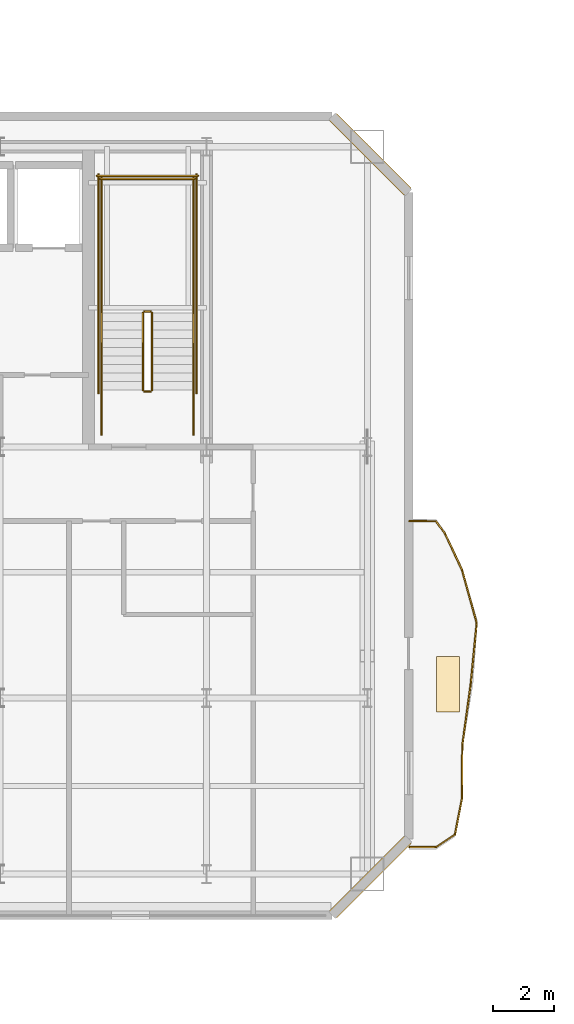
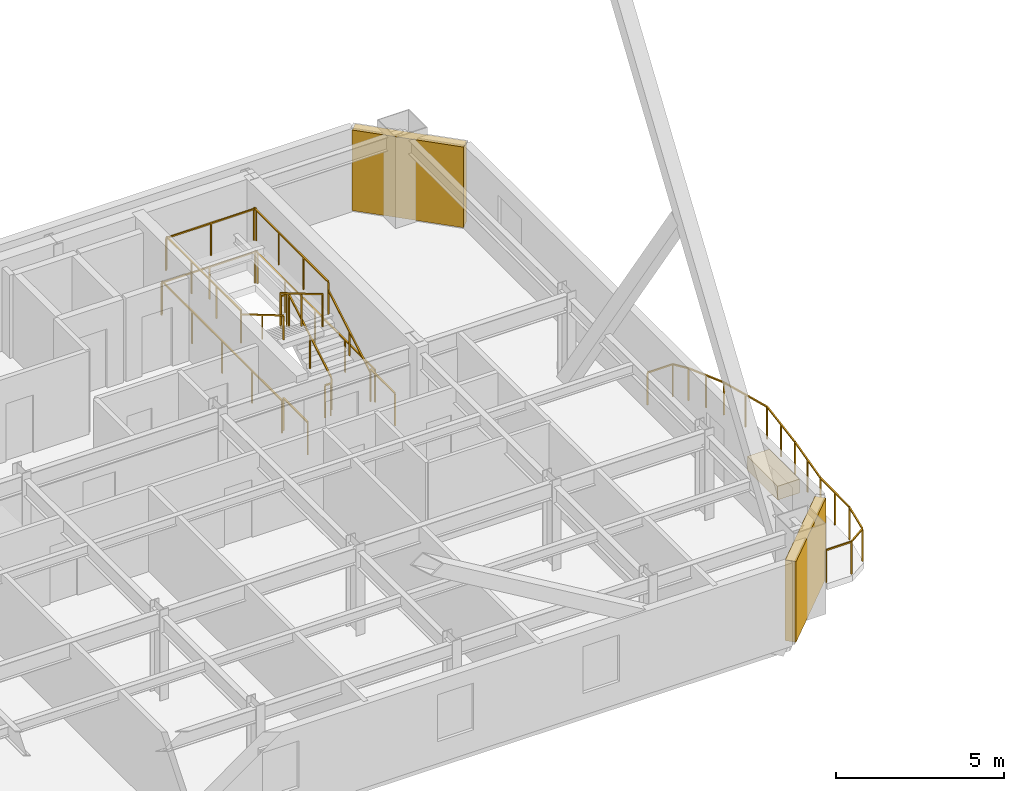
# One storey, part 17 of 19: 24 railings, 2 shading devices, 1 covering.
"""IFC4 building model written with IfcOpenShell, lengths in metres."""

from ifc_helpers import new_model, si_unit, direction, frame, origin, origin_2d, place, context, subcontext, project, spatial, rectangle, extrude, material, layer, layer_set, type_object, element, save


model = new_model("IFC4")

# Units and contexts
model_context = context("Model", 3, precision=1e-05, world=origin(), true_north=direction((0.0, 1.0)))
body_context = subcontext(model_context, "Body", "Model", "MODEL_VIEW")
ifc_project = project(units=[si_unit("LENGTHUNIT", "METRE"), si_unit("AREAUNIT", "SQUARE_METRE"), si_unit("VOLUMEUNIT", "CUBIC_METRE"), si_unit("PLANEANGLEUNIT", "RADIAN"), si_unit("MASSUNIT", "GRAM", prefix="KILO")], contexts=[model_context])

# Site, building, storey
site_placement = place(None, origin())
site = spatial("IfcSite", under=ifc_project, at=site_placement, CompositionType="ELEMENT")
building_placement = place(site_placement, origin())
building = spatial("IfcBuilding", under=site, at=building_placement, Name="Haevon Station Towers", CompositionType="ELEMENT")
storey_placement = place(building_placement, frame((0.0, 0.0, 218.699951171875)))
storey = spatial("IfcBuildingStorey", under=building, at=storey_placement, Name="L60", CompositionType="ELEMENT", Elevation=218.699951171875)

# Railings
ifc_material_1 = material(Name="Steel S355", Category="steel")
railing_type_1 = type_object("IfcRailingType", Name="GRD-EXT1200", PredefinedType="GUARDRAIL", material=ifc_material_1)
railing_1_placement = place(storey_placement, frame((57.62353515625, 25.1279296875, 0.0)))
element("IfcRailing", 1, at=railing_1_placement, inside=storey, type_object=railing_type_1, Name="L60 Perimeter Guardrail 1", PredefinedType="GUARDRAIL", context=body_context, shape_type="SweptSolid", body=[
    extrude(rectangle(XDim=0.048095703125, YDim=0.048095703125, at=origin_2d()), frame((0.0, 0.0, 1.17578125), z_axis=(0.999997476494, 0.002246554286, 0.0), x_axis=(-0.002246554286, 0.999997476494, 0.0)), (0.0, 0.0, 1.0), 0.869384765625),
    extrude(rectangle(XDim=0.0419921875, YDim=0.0419921875, at=origin_2d()), origin(), (0.0, 0.0, 1.0), 1.15185546875),
    extrude(rectangle(XDim=0.0419921875, YDim=0.0419921875, at=origin_2d()), frame((0.869384765625, 0.001953125, 0.0)), (0.0, 0.0, 1.0), 1.15185546875),
])
railing_2_placement = place(storey_placement, frame((58.492919921875, 25.1298828125, 0.0)))
element("IfcRailing", 2, at=railing_2_placement, inside=storey, type_object=railing_type_1, Name="L60 Perimeter Guardrail 2", PredefinedType="GUARDRAIL", context=body_context, shape_type="SweptSolid", body=[
    extrude(rectangle(XDim=0.048095703125, YDim=0.048095703125, at=origin_2d()), frame((0.0, 0.0, 1.17578125), z_axis=(0.833160144028, 0.553031802343, 0.0), x_axis=(-0.553031802343, 0.833160144028, 0.0)), (0.0, 0.0, 1.0), 0.743408203125),
    extrude(rectangle(XDim=0.0419921875, YDim=0.0419921875, at=origin_2d()), origin(), (0.0, 0.0, 1.0), 1.15185546875),
    extrude(rectangle(XDim=0.0419921875, YDim=0.0419921875, at=origin_2d()), frame((0.619384765625, 0.4111328125, 0.0)), (0.0, 0.0, 1.0), 1.15185546875),
])
railing_3_placement = place(storey_placement, frame((59.1123046875, 25.541015625, 0.0)))
element("IfcRailing", 3, at=railing_3_placement, inside=storey, type_object=railing_type_1, Name="L60 Perimeter Guardrail 3", PredefinedType="GUARDRAIL", context=body_context, shape_type="SweptSolid", body=[
    extrude(rectangle(XDim=0.048095703125, YDim=0.048095703125, at=origin_2d()), frame((0.0, 0.0, 1.17578125), z_axis=(0.189926348496, 0.981798340876, 0.0), x_axis=(-0.981798340876, 0.189926348496, 0.0)), (0.0, 0.0, 1.0), 1.191650390625),
    extrude(rectangle(XDim=0.0419921875, YDim=0.0419921875, at=origin_2d()), origin(), (0.0, 0.0, 1.0), 1.15185546875),
    extrude(rectangle(XDim=0.0419921875, YDim=0.0419921875, at=origin_2d()), frame((0.226318359375, 1.169921875, 0.0)), (0.0, 0.0, 1.0), 1.15185546875),
])
railing_4_placement = place(storey_placement, frame((59.338623046875, 26.7109375, 0.0)))
element("IfcRailing", 4, at=railing_4_placement, inside=storey, type_object=railing_type_1, Name="L60 Perimeter Guardrail 4", PredefinedType="GUARDRAIL", context=body_context, shape_type="SweptSolid", body=[
    extrude(rectangle(XDim=0.048095703125, YDim=0.048095703125, at=origin_2d()), frame((0.0, 0.0, 1.17578125), z_axis=(0.007252250001, 0.999973702089, 0.0), x_axis=(-0.999973702089, 0.007252250001, 0.0)), (0.0, 0.0, 1.0), 1.75048828125),
    extrude(rectangle(XDim=0.0419921875, YDim=0.0419921875, at=origin_2d()), origin(), (0.0, 0.0, 1.0), 1.15185546875),
    extrude(rectangle(XDim=0.0419921875, YDim=0.0419921875, at=origin_2d()), frame((0.00634765625, 0.875244140625, 0.0)), (0.0, 0.0, 1.0), 1.15185546875),
    extrude(rectangle(XDim=0.0419921875, YDim=0.0419921875, at=origin_2d()), frame((0.0126953125, 1.75048828125, 0.0)), (0.0, 0.0, 1.0), 1.15185546875),
])
railing_5_placement = place(storey_placement, frame((59.351318359375, 28.46142578125, 0.0)))
element("IfcRailing", 5, at=railing_5_placement, inside=storey, type_object=railing_type_1, Name="L60 Perimeter Guardrail 5", PredefinedType="GUARDRAIL", context=body_context, shape_type="SweptSolid", body=[
    extrude(rectangle(XDim=0.048095703125, YDim=0.048095703125, at=origin_2d()), frame((0.0, 0.0, 1.17578125), z_axis=(0.136345171369, 0.990661392326, 0.0), x_axis=(-0.990661392326, 0.136345171369, 0.0)), (0.0, 0.0, 1.0), 2.00732421875),
    extrude(rectangle(XDim=0.0419921875, YDim=0.0419921875, at=origin_2d()), origin(), (0.0, 0.0, 1.0), 1.15185546875),
    extrude(rectangle(XDim=0.0419921875, YDim=0.0419921875, at=origin_2d()), frame((0.13671875, 0.994140625, 0.0)), (0.0, 0.0, 1.0), 1.15185546875),
    extrude(rectangle(XDim=0.0419921875, YDim=0.0419921875, at=origin_2d()), frame((0.273681640625, 1.988525390625, 0.0)), (0.0, 0.0, 1.0), 1.15185546875),
])
railing_6_placement = place(storey_placement, frame((59.625, 30.449951171875, 0.0)))
element("IfcRailing", 6, at=railing_6_placement, inside=storey, type_object=railing_type_1, Name="L60 Perimeter Guardrail 6", PredefinedType="GUARDRAIL", context=body_context, shape_type="SweptSolid", body=[
    extrude(rectangle(XDim=0.048095703125, YDim=0.048095703125, at=origin_2d()), frame((0.0, 0.0, 1.17578125), z_axis=(0.097718135752, 0.9952141307, 0.0), x_axis=(-0.9952141307, 0.097718135752, 0.0)), (0.0, 0.0, 1.0), 2.003662109375),
    extrude(rectangle(XDim=0.0419921875, YDim=0.0419921875, at=origin_2d()), origin(), (0.0, 0.0, 1.0), 1.15185546875),
    extrude(rectangle(XDim=0.0419921875, YDim=0.0419921875, at=origin_2d()), frame((0.097900390625, 0.9970703125, 0.0)), (0.0, 0.0, 1.0), 1.15185546875),
    extrude(rectangle(XDim=0.0419921875, YDim=0.0419921875, at=origin_2d()), frame((0.19580078125, 1.994140625, 0.0)), (0.0, 0.0, 1.0), 1.15185546875),
])
railing_7_placement = place(storey_placement, frame((59.82080078125, 32.444091796875, 0.0)))
element("IfcRailing", 7, at=railing_7_placement, inside=storey, type_object=railing_type_1, Name="L60 Perimeter Guardrail 7", PredefinedType="GUARDRAIL", context=body_context, shape_type="SweptSolid", body=[
    extrude(rectangle(XDim=0.048095703125, YDim=0.048095703125, at=origin_2d()), frame((0.0, 0.0, 1.17578125), z_axis=(-0.266356811872, 0.963874498454, 0.0), x_axis=(-0.963874498454, -0.266356811872, 0.0)), (0.0, 0.0, 1.0), 1.810302734375),
    extrude(rectangle(XDim=0.0419921875, YDim=0.0419921875, at=origin_2d()), origin(), (0.0, 0.0, 1.0), 1.15185546875),
    extrude(rectangle(XDim=0.0419921875, YDim=0.0419921875, at=origin_2d()), frame((-0.2412109375, 0.87255859375, 0.0)), (0.0, 0.0, 1.0), 1.15185546875),
    extrude(rectangle(XDim=0.0419921875, YDim=0.0419921875, at=origin_2d()), frame((-0.482177734375, 1.744873046875, 0.0)), (0.0, 0.0, 1.0), 1.15185546875),
])
railing_8_placement = place(storey_placement, frame((59.338623046875, 34.18896484375, 0.0)))
element("IfcRailing", 8, at=railing_8_placement, inside=storey, type_object=railing_type_1, Name="L60 Perimeter Guardrail 8", PredefinedType="GUARDRAIL", context=body_context, shape_type="SweptSolid", body=[
    extrude(rectangle(XDim=0.048095703125, YDim=0.048095703125, at=origin_2d()), frame((0.0, 0.0, 1.17578125), z_axis=(-0.423464938521, 0.90591249348, 0.0), x_axis=(-0.90591249348, -0.423464938521, 0.0)), (0.0, 0.0, 1.0), 1.29150390625),
    extrude(rectangle(XDim=0.0419921875, YDim=0.0419921875, at=origin_2d()), origin(), (0.0, 0.0, 1.0), 1.15185546875),
    extrude(rectangle(XDim=0.0419921875, YDim=0.0419921875, at=origin_2d()), frame((-0.2734375, 0.5849609375, 0.0)), (0.0, 0.0, 1.0), 1.15185546875),
    extrude(rectangle(XDim=0.0419921875, YDim=0.0419921875, at=origin_2d()), frame((-0.546875, 1.169921875, 0.0)), (0.0, 0.0, 1.0), 1.15185546875),
])
railing_9_placement = place(storey_placement, frame((58.791748046875, 35.35888671875, 0.0)))
element("IfcRailing", 9, at=railing_9_placement, inside=storey, type_object=railing_type_1, Name="L60 Perimeter Guardrail 9", PredefinedType="GUARDRAIL", context=body_context, shape_type="SweptSolid", body=[
    extrude(rectangle(XDim=0.048095703125, YDim=0.048095703125, at=origin_2d()), frame((0.0, 0.0, 1.17578125), z_axis=(-0.587714803792, 0.809068173521, 0.0), x_axis=(-0.809068173521, -0.587714803792, 0.0)), (0.0, 0.0, 1.0), 0.508544921875),
    extrude(rectangle(XDim=0.0419921875, YDim=0.0419921875, at=origin_2d()), origin(), (0.0, 0.0, 1.0), 1.15185546875),
    extrude(rectangle(XDim=0.0419921875, YDim=0.0419921875, at=origin_2d()), frame((-0.298828125, 0.411376953125, 0.0)), (0.0, 0.0, 1.0), 1.15185546875),
])
railing_10_placement = place(storey_placement, frame((58.492919921875, 35.770263671875, 0.0)))
element("IfcRailing", 10, at=railing_10_placement, inside=storey, type_object=railing_type_1, Name="L60 Perimeter Guardrail 10", PredefinedType="GUARDRAIL", context=body_context, shape_type="SweptSolid", body=[
    extrude(rectangle(XDim=0.048095703125, YDim=0.048095703125, at=origin_2d()), frame((0.0, 0.0, 1.17578125), z_axis=(-0.999997476494, 0.002246554286, 0.0), x_axis=(-0.002246554286, -0.999997476494, 0.0)), (0.0, 0.0, 1.0), 0.869384765625),
    extrude(rectangle(XDim=0.0419921875, YDim=0.0419921875, at=origin_2d()), origin(), (0.0, 0.0, 1.0), 1.15185546875),
    extrude(rectangle(XDim=0.0419921875, YDim=0.0419921875, at=origin_2d()), frame((-0.869384765625, 0.001953125, 0.0)), (0.0, 0.0, 1.0), 1.15185546875),
])
railing_type_2 = type_object("IfcRailingType", Name="GRD-STR1200", PredefinedType="GUARDRAIL", material=ifc_material_1)
railing_11_placement = place(storey_placement, frame((49.219970703125, 40.050048828125, 0.1650390625)))
element("IfcRailing", 11, at=railing_11_placement, inside=storey, type_object=railing_type_2, Name="L60 ST2 Stair Guard 1", PredefinedType="GUARDRAIL", context=body_context, shape_type="SweptSolid", body=[
    extrude(rectangle(XDim=0.048095703125, YDim=0.048095703125, at=origin_2d()), frame((0.0, 0.0, 1.17578125), z_axis=(0.0, 0.86152411907, 0.507716645641), x_axis=(-1.0, 0.0, 0.0)), (0.0, 0.0, 1.0), 2.925048828125),
    extrude(rectangle(XDim=0.0419921875, YDim=0.0419921875, at=origin_2d()), origin(), (0.0, 0.0, 1.0), 1.15185546875),
    extrude(rectangle(XDim=0.0419921875, YDim=0.0419921875, at=origin_2d()), frame((0.0, 1.260009765625, 0.74267578125)), (0.0, 0.0, 1.0), 1.15185546875),
    extrude(rectangle(XDim=0.0419921875, YDim=0.0419921875, at=origin_2d()), frame((0.0, 2.52001953125, 1.485107421875)), (0.0, 0.0, 1.0), 1.15185546875),
])
railing_12_placement = place(storey_placement, frame((49.169921875, 42.6201171875, 1.650146484375)))
element("IfcRailing", 12, at=railing_12_placement, inside=storey, type_object=railing_type_2, Name="L60 ST2 Stair Guard 2", PredefinedType="GUARDRAIL", context=body_context, shape_type="SweptSolid", body=[
    extrude(rectangle(XDim=0.048095703125, YDim=0.048095703125, at=origin_2d()), frame((0.0, 0.0, 1.17578125), z_axis=(-1.0, 0.0, 0.0), x_axis=(0.0, -1.0, 0.0)), (0.0, 0.0, 1.0), 0.199951171875),
    extrude(rectangle(XDim=0.0419921875, YDim=0.0419921875, at=origin_2d()), origin(), (0.0, 0.0, 1.0), 1.15185546875),
    extrude(rectangle(XDim=0.0419921875, YDim=0.0419921875, at=origin_2d()), frame((-0.199951171875, 0.0, 0.0)), (0.0, 0.0, 1.0), 1.15185546875),
])
for number, where, name in (
    (13, (50.570068359375, 42.570068359375, 1.650146484375), "L60 ST2 Stair Guard 3"),
    (14, (47.570068359375, 42.570068359375, 1.650146484375), "L60 ST2 Stair Guard 4"),
):
    element("IfcRailing", number, at=place(storey_placement, frame(where)), inside=storey, type_object=railing_type_2, Name=name, PredefinedType="GUARDRAIL", context=body_context, shape_type="SweptSolid", body=[
        extrude(rectangle(XDim=0.048095703125, YDim=0.048095703125, at=origin_2d()), frame((0.0, 0.0, 1.17578125), z_axis=(0.0, 1.0, 0.0), x_axis=(-1.0, 0.0, 0.0)), (0.0, 0.0, 1.0), 4.429931640625),
        extrude(rectangle(XDim=0.0419921875, YDim=0.0419921875, at=origin_2d()), origin(), (0.0, 0.0, 1.0), 1.15185546875),
        extrude(rectangle(XDim=0.0419921875, YDim=0.0419921875, at=origin_2d()), frame((0.0, 1.4765625, 0.0)), (0.0, 0.0, 1.0), 1.15185546875),
        extrude(rectangle(XDim=0.0419921875, YDim=0.0419921875, at=origin_2d()), frame((0.0, 2.953369140625, 0.0)), (0.0, 0.0, 1.0), 1.15185546875),
        extrude(rectangle(XDim=0.0419921875, YDim=0.0419921875, at=origin_2d()), frame((0.0, 4.429931640625, 0.0)), (0.0, 0.0, 1.0), 1.15185546875),
    ])
railing_13_placement = place(storey_placement, frame((50.6201171875, 46.949951171875, 1.650146484375)))
element("IfcRailing", 15, at=railing_13_placement, inside=storey, type_object=railing_type_2, Name="L60 ST2 Stair Guard 5", PredefinedType="GUARDRAIL", context=body_context, shape_type="SweptSolid", body=[
    extrude(rectangle(XDim=0.048095703125, YDim=0.048095703125, at=origin_2d()), frame((0.0, 0.0, 1.17578125), z_axis=(-1.0, 0.0, 0.0), x_axis=(0.0, -1.0, 0.0)), (0.0, 0.0, 1.0), 3.10009765625),
    extrude(rectangle(XDim=0.0419921875, YDim=0.0419921875, at=origin_2d()), origin(), (0.0, 0.0, 1.0), 1.15185546875),
    extrude(rectangle(XDim=0.0419921875, YDim=0.0419921875, at=origin_2d()), frame((-1.550048828125, 0.0, 0.0)), (0.0, 0.0, 1.0), 1.15185546875),
    extrude(rectangle(XDim=0.0419921875, YDim=0.0419921875, at=origin_2d()), frame((-3.10009765625, 0.0, 0.0)), (0.0, 0.0, 1.0), 1.15185546875),
])
railing_14_placement = place(storey_placement, frame((48.919921875, 42.570068359375, 1.81494140625)))
element("IfcRailing", 16, at=railing_14_placement, inside=storey, type_object=railing_type_2, Name="L60 ST2 Stair Guard 6", PredefinedType="GUARDRAIL", context=body_context, shape_type="SweptSolid", body=[
    extrude(rectangle(XDim=0.048095703125, YDim=0.048095703125, at=origin_2d()), frame((0.0, 0.0, 1.17578125), z_axis=(0.0, -0.86152411907, 0.507716645641), x_axis=(1.0, 0.0, 0.0)), (0.0, 0.0, 1.0), 2.925048828125),
    extrude(rectangle(XDim=0.0419921875, YDim=0.0419921875, at=origin_2d()), origin(), (0.0, 0.0, 1.0), 1.15185546875),
    extrude(rectangle(XDim=0.0419921875, YDim=0.0419921875, at=origin_2d()), frame((0.0, -1.260009765625, 0.74267578125)), (0.0, 0.0, 1.0), 1.15185546875),
    extrude(rectangle(XDim=0.0419921875, YDim=0.0419921875, at=origin_2d()), frame((0.0, -2.52001953125, 1.485107421875)), (0.0, 0.0, 1.0), 1.15185546875),
])
railing_15_placement = place(storey_placement, frame((49.169921875, 40.0, 0.0)))
element("IfcRailing", 17, at=railing_15_placement, inside=storey, type_object=railing_type_2, Name="L60 ST2 Stair Guard 7", PredefinedType="GUARDRAIL", context=body_context, shape_type="SweptSolid", body=[
    extrude(rectangle(XDim=0.048095703125, YDim=0.048095703125, at=origin_2d()), frame((0.0, 0.0, 1.17578125), z_axis=(-1.0, 0.0, 0.0), x_axis=(0.0, -1.0, 0.0)), (0.0, 0.0, 1.0), 0.199951171875),
    extrude(rectangle(XDim=0.0419921875, YDim=0.0419921875, at=origin_2d()), origin(), (0.0, 0.0, 1.0), 1.15185546875),
    extrude(rectangle(XDim=0.0419921875, YDim=0.0419921875, at=origin_2d()), frame((-0.199951171875, 0.0, 0.0)), (0.0, 0.0, 1.0), 1.15185546875),
])
for number, where, name in (
    (18, (50.570068359375, 38.60009765625, 0.0), "L60 ST2 Stair Guard 8"),
    (19, (47.570068359375, 38.60009765625, 0.0), "L60 ST2 Stair Guard 9"),
):
    element("IfcRailing", number, at=place(storey_placement, frame(where)), inside=storey, type_object=railing_type_2, Name=name, PredefinedType="GUARDRAIL", context=body_context, shape_type="SweptSolid", body=[
        extrude(rectangle(XDim=0.048095703125, YDim=0.048095703125, at=origin_2d()), frame((0.0, 0.0, 1.17578125), z_axis=(0.0, 1.0, 0.0), x_axis=(-1.0, 0.0, 0.0)), (0.0, 0.0, 1.0), 1.449951171875),
        extrude(rectangle(XDim=0.0419921875, YDim=0.0419921875, at=origin_2d()), origin(), (0.0, 0.0, 1.0), 1.15185546875),
        extrude(rectangle(XDim=0.0419921875, YDim=0.0419921875, at=origin_2d()), frame((0.0, 1.449951171875, 0.0)), (0.0, 0.0, 1.0), 1.15185546875),
    ])
for number, where, name in (
    (20, (50.669921875, 39.949951171875, 0.0), "L60 ST2 Stair Guard 10"),
    (21, (47.469970703125, 39.949951171875, 0.0), "L60 ST2 Stair Guard 11"),
):
    element("IfcRailing", number, at=place(storey_placement, frame(where)), inside=storey, type_object=railing_type_2, Name=name, PredefinedType="GUARDRAIL", context=body_context, shape_type="SweptSolid", body=[
        extrude(rectangle(XDim=0.048095703125, YDim=0.048095703125, at=origin_2d()), frame((0.0, 0.0, 1.17578125), z_axis=(0.0, 1.0, 0.0), x_axis=(-1.0, 0.0, 0.0)), (0.0, 0.0, 1.0), 7.150146484375),
        extrude(rectangle(XDim=0.0419921875, YDim=0.0419921875, at=origin_2d()), origin(), (0.0, 0.0, 1.0), 1.15185546875),
        extrude(rectangle(XDim=0.0419921875, YDim=0.0419921875, at=origin_2d()), frame((0.0, 1.78759765625, 0.0)), (0.0, 0.0, 1.0), 1.15185546875),
        extrude(rectangle(XDim=0.0419921875, YDim=0.0419921875, at=origin_2d()), frame((0.0, 3.5751953125, 0.0)), (0.0, 0.0, 1.0), 1.15185546875),
        extrude(rectangle(XDim=0.0419921875, YDim=0.0419921875, at=origin_2d()), frame((0.0, 5.362548828125, 0.0)), (0.0, 0.0, 1.0), 1.15185546875),
        extrude(rectangle(XDim=0.0419921875, YDim=0.0419921875, at=origin_2d()), frame((0.0, 7.150146484375, 0.0)), (0.0, 0.0, 1.0), 1.15185546875),
    ])
railing_16_placement = place(storey_placement, frame((50.719970703125, 47.050048828125, 0.0)))
element("IfcRailing", 22, at=railing_16_placement, inside=storey, type_object=railing_type_2, Name="L60 ST2 Stair Guard 12", PredefinedType="GUARDRAIL", context=body_context, shape_type="SweptSolid", body=[
    extrude(rectangle(XDim=0.048095703125, YDim=0.048095703125, at=origin_2d()), frame((0.0, 0.0, 1.17578125), z_axis=(-1.0, 0.0, 0.0), x_axis=(0.0, -1.0, 0.0)), (0.0, 0.0, 1.0), 3.300048828125),
    extrude(rectangle(XDim=0.0419921875, YDim=0.0419921875, at=origin_2d()), origin(), (0.0, 0.0, 1.0), 1.15185546875),
    extrude(rectangle(XDim=0.0419921875, YDim=0.0419921875, at=origin_2d()), frame((-1.64990234375, 0.0, 0.0)), (0.0, 0.0, 1.0), 1.15185546875),
    extrude(rectangle(XDim=0.0419921875, YDim=0.0419921875, at=origin_2d()), frame((-3.300048828125, 0.0, 0.0)), (0.0, 0.0, 1.0), 1.15185546875),
])
railing_type_3 = type_object("IfcRailingType", Name="HND-STR900", PredefinedType="HANDRAIL", material=ifc_material_1)
railing_17_placement = place(storey_placement, frame((50.570068359375, 40.050048828125, 0.1650390625)))
element("IfcRailing", 23, at=railing_17_placement, inside=storey, type_object=railing_type_3, Name="L60 ST2 Stair Handrail 1", PredefinedType="HANDRAIL", context=body_context, shape_type="SweptSolid", body=[
    extrude(rectangle(XDim=0.048095703125, YDim=0.048095703125, at=origin_2d()), frame((0.0, 0.0, 0.8759765625), z_axis=(0.0, 0.86152411907, 0.507716645641), x_axis=(-1.0, 0.0, 0.0)), (0.0, 0.0, 1.0), 2.925048828125),
    extrude(rectangle(XDim=0.0419921875, YDim=0.0419921875, at=origin_2d()), origin(), (0.0, 0.0, 1.0), 0.851806640625),
    extrude(rectangle(XDim=0.0419921875, YDim=0.0419921875, at=origin_2d()), frame((0.0, 1.260009765625, 0.74267578125)), (0.0, 0.0, 1.0), 0.851806640625),
    extrude(rectangle(XDim=0.0419921875, YDim=0.0419921875, at=origin_2d()), frame((0.0, 2.52001953125, 1.485107421875)), (0.0, 0.0, 1.0), 0.851806640625),
])
railing_18_placement = place(storey_placement, frame((47.570068359375, 42.570068359375, 1.81494140625)))
element("IfcRailing", 24, at=railing_18_placement, inside=storey, type_object=railing_type_3, Name="L60 ST2 Stair Handrail 2", PredefinedType="HANDRAIL", context=body_context, shape_type="SweptSolid", body=[
    extrude(rectangle(XDim=0.048095703125, YDim=0.048095703125, at=origin_2d()), frame((0.0, 0.0, 0.8759765625), z_axis=(0.0, -0.86152411907, 0.507716645641), x_axis=(1.0, 0.0, 0.0)), (0.0, 0.0, 1.0), 2.925048828125),
    extrude(rectangle(XDim=0.0419921875, YDim=0.0419921875, at=origin_2d()), origin(), (0.0, 0.0, 1.0), 0.851806640625),
    extrude(rectangle(XDim=0.0419921875, YDim=0.0419921875, at=origin_2d()), frame((0.0, -1.260009765625, 0.74267578125)), (0.0, 0.0, 1.0), 0.851806640625),
    extrude(rectangle(XDim=0.0419921875, YDim=0.0419921875, at=origin_2d()), frame((0.0, -2.52001953125, 1.485107421875)), (0.0, 0.0, 1.0), 0.851806640625),
])

# Covering
ifc_material_2 = material(Name="Architectural planter GRC", Category="concrete")
ifc_layer_1 = layer(ifc_material_2, 0.550048828125)
ifc_layer_set_1 = layer_set([ifc_layer_1], Name="Architectural planter GRC")
covering_type = type_object("IfcCoveringType", Name="PLN-GRC550", PredefinedType="MOLDING", material=ifc_layer_set_1)
covering_placement = place(storey_placement, frame((58.88330078125, 30.449951171875, 0.0), z_axis=(0.0, 0.0, 1.0), x_axis=(1.0, 0.0, 0.0)))
element("IfcCovering", 25, at=covering_placement, inside=storey, type_object=covering_type, Name="Tower 1 L60 Scalloped Balcony PLANTER", PredefinedType="MOLDING", context=body_context, shape_type="SweptSolid", body=[
    extrude(rectangle(XDim=0.75, YDim=1.800048828125, at=origin_2d()), origin(), (0.0, 0.0, 1.0), 0.5),
])

# Shading devices
ifc_material_3 = material(Name="Anodised aluminium 6063-T6", Category="aluminium")
ifc_layer_2 = layer(ifc_material_3, 0.139892578125)
ifc_layer_set_2 = layer_set([ifc_layer_2], Name="Anodised aluminium 6063-T6")
shading_device_type = type_object("IfcShadingDeviceType", Name="SHD-WIND-BAFFLE", PredefinedType="SHUTTER", material=ifc_layer_set_2)
for number, where, z_axis, x_axis, name in (
    (26, (56.35009765625, 47.75, 0.05029296875), (0.0, 0.0, 1.0), (0.707106781187, -0.707106781187, 0.0), "Tower 1 L60 Wind-Corner Aerofoil Baffle NEC"),
    (27, (56.35009765625, 24.14990234375, 0.05029296875), (0.0, 0.0, 1.0), (-0.707106781187, -0.707106781187, 0.0), "Tower 1 L60 Wind-Corner Aerofoil Baffle SEC"),
):
    element("IfcShadingDevice", number, at=place(storey_placement, frame(where, z_axis=z_axis, x_axis=x_axis)), inside=storey, type_object=shading_device_type, Name=name, PredefinedType="SHUTTER", context=body_context, shape_type="SweptSolid", body=[
        extrude(rectangle(XDim=3.435546875, YDim=0.340087890625, at=origin_2d()), origin(), (0.0, 0.0, 1.0), 2.929931640625),
    ])

save(model, "model.ifc")
